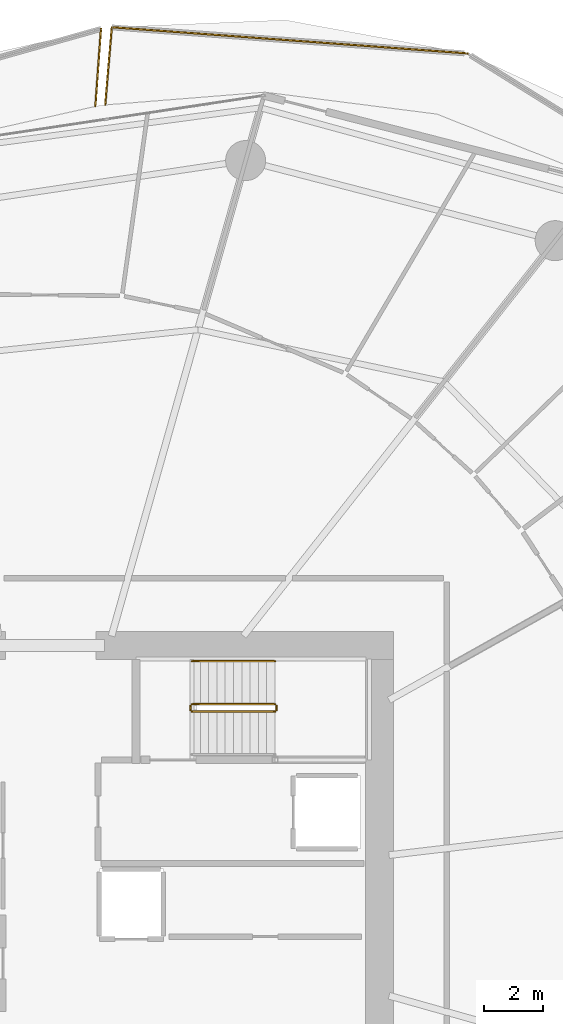
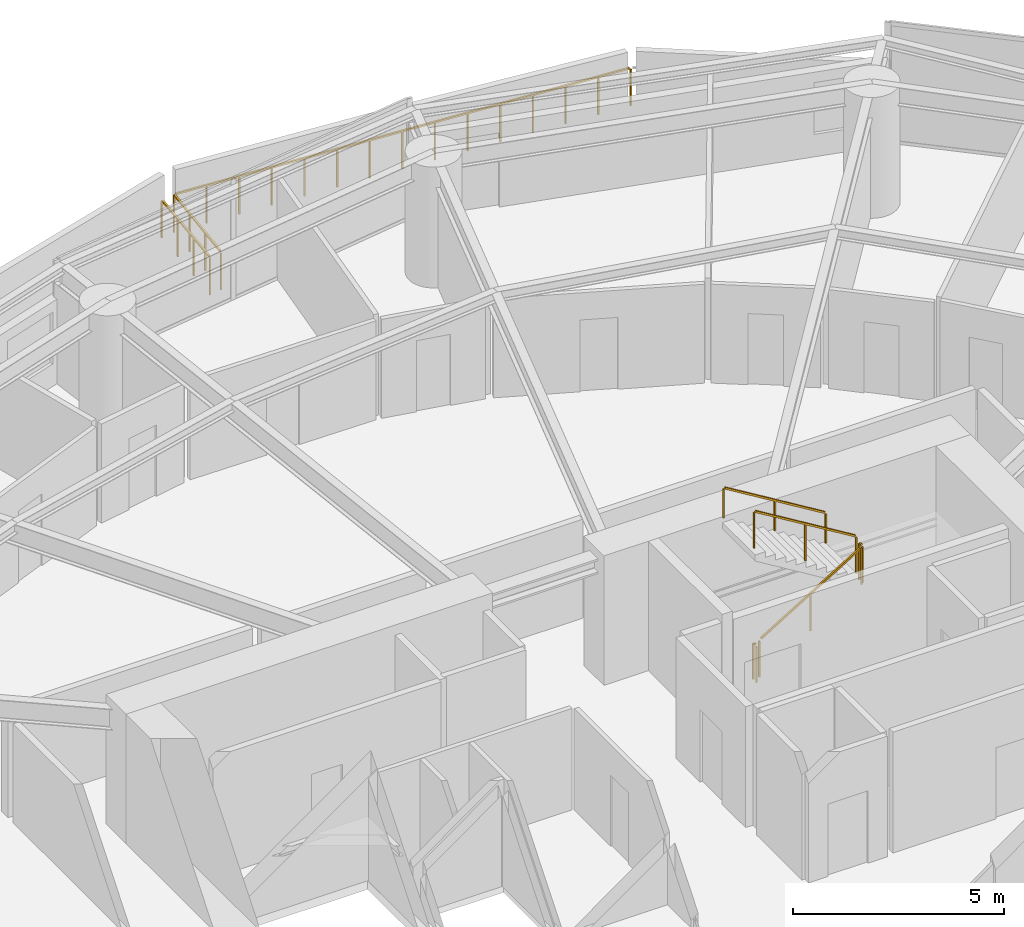
# One storey, part 30 of 31: 8 railings.
"""IFC4 building model written with IfcOpenShell, lengths in metres."""

from ifc_helpers import new_model, si_unit, direction, frame, origin, origin_2d, place, context, subcontext, project, spatial, rectangle, extrude, material, type_object, element, save


model = new_model("IFC4")

# Units and contexts
model_context = context("Model", 3, precision=1e-05, world=origin(), true_north=direction((0.0, 1.0)))
body_context = subcontext(model_context, "Body", "Model", "MODEL_VIEW")
ifc_project = project(units=[si_unit("LENGTHUNIT", "METRE"), si_unit("AREAUNIT", "SQUARE_METRE"), si_unit("VOLUMEUNIT", "CUBIC_METRE"), si_unit("PLANEANGLEUNIT", "RADIAN"), si_unit("MASSUNIT", "GRAM", prefix="KILO")], contexts=[model_context])

# Site, building, storey
site_placement = place(None, origin())
site = spatial("IfcSite", under=ifc_project, at=site_placement, CompositionType="ELEMENT")
building_placement = place(site_placement, origin())
building = spatial("IfcBuilding", under=site, at=building_placement, Name="Kazma Halo Residences", CompositionType="ELEMENT")
storey_placement = place(building_placement, frame((0.0, 0.0, 33.89990234375)))
storey = spatial("IfcBuildingStorey", under=building, at=storey_placement, Name="L07", CompositionType="ELEMENT", Elevation=33.89990234375)

# Railings
ifc_material_1 = material(Name="Aluminium AW-6063 T6 Brushed Cap Rail", Category="aluminium")
railing_type_1 = type_object("IfcRailingType", Name="RLG-BAL-CAP-1120", PredefinedType="BALUSTRADE", material=ifc_material_1)
railing_1_placement = place(storey_placement, frame((62.50439453125, 70.466796875, 0.0)))
element("IfcRailing", 1, at=railing_1_placement, inside=storey, type_object=railing_type_1, Name="L07 NE wave balcony guard 3", PredefinedType="BALUSTRADE", context=body_context, shape_type="SweptSolid", body=[
    extrude(rectangle(XDim=0.050048828125, YDim=0.050048828125, at=origin_2d()), frame((-0.04248046875, 0.003173828125, 1.09521484375), z_axis=(-0.997303634995, 0.073385690876, 0.0), x_axis=(-0.073385690876, -0.997303634995, 0.0)), (0.0, 0.0, 1.0), 11.96142578125),
    extrude(rectangle(XDim=0.0400390625, YDim=0.0400390625, at=origin_2d()), origin(), (0.0, 0.0, 1.0), 1.05810546875),
    extrude(rectangle(XDim=0.0400390625, YDim=0.0400390625, at=origin_2d()), frame((-0.858154296875, 0.063232421875, 0.0)), (0.0, 0.0, 1.0), 1.05810546875),
    extrude(rectangle(XDim=0.0400390625, YDim=0.0400390625, at=origin_2d()), frame((-1.71630859375, 0.126220703125, 0.0)), (0.0, 0.0, 1.0), 1.05810546875),
    extrude(rectangle(XDim=0.0400390625, YDim=0.0400390625, at=origin_2d()), frame((-2.574462890625, 0.189453125, 0.0)), (0.0, 0.0, 1.0), 1.05810546875),
    extrude(rectangle(XDim=0.0400390625, YDim=0.0400390625, at=origin_2d()), frame((-3.4326171875, 0.252685546875, 0.0)), (0.0, 0.0, 1.0), 1.05810546875),
    extrude(rectangle(XDim=0.0400390625, YDim=0.0400390625, at=origin_2d()), frame((-4.290771484375, 0.315673828125, 0.0)), (0.0, 0.0, 1.0), 1.05810546875),
    extrude(rectangle(XDim=0.0400390625, YDim=0.0400390625, at=origin_2d()), frame((-5.14892578125, 0.37890625, 0.0)), (0.0, 0.0, 1.0), 1.05810546875),
    extrude(rectangle(XDim=0.0400390625, YDim=0.0400390625, at=origin_2d()), frame((-6.0068359375, 0.44189453125, 0.0)), (0.0, 0.0, 1.0), 1.05810546875),
    extrude(rectangle(XDim=0.0400390625, YDim=0.0400390625, at=origin_2d()), frame((-6.864990234375, 0.505126953125, 0.0)), (0.0, 0.0, 1.0), 1.05810546875),
    extrude(rectangle(XDim=0.0400390625, YDim=0.0400390625, at=origin_2d()), frame((-7.72314453125, 0.568359375, 0.0)), (0.0, 0.0, 1.0), 1.05810546875),
    extrude(rectangle(XDim=0.0400390625, YDim=0.0400390625, at=origin_2d()), frame((-8.581298828125, 0.63134765625, 0.0)), (0.0, 0.0, 1.0), 1.05810546875),
    extrude(rectangle(XDim=0.0400390625, YDim=0.0400390625, at=origin_2d()), frame((-9.439453125, 0.694580078125, 0.0)), (0.0, 0.0, 1.0), 1.05810546875),
    extrude(rectangle(XDim=0.0400390625, YDim=0.0400390625, at=origin_2d()), frame((-10.297607421875, 0.7578125, 0.0)), (0.0, 0.0, 1.0), 1.05810546875),
    extrude(rectangle(XDim=0.0400390625, YDim=0.0400390625, at=origin_2d()), frame((-11.15576171875, 0.82080078125, 0.0)), (0.0, 0.0, 1.0), 1.05810546875),
    extrude(rectangle(XDim=0.0400390625, YDim=0.0400390625, at=origin_2d()), frame((-12.013916015625, 0.884033203125, 0.0)), (0.0, 0.0, 1.0), 1.05810546875),
])
railing_2_placement = place(storey_placement, frame((50.490478515625, 71.350830078125, 0.0)))
element("IfcRailing", 2, at=railing_2_placement, inside=storey, type_object=railing_type_1, Name="L07 NE wave balcony guard 4", PredefinedType="BALUSTRADE", context=body_context, shape_type="SweptSolid", body=[
    extrude(rectangle(XDim=0.050048828125, YDim=0.050048828125, at=origin_2d()), frame((-0.003662109375, -0.04248046875, 1.09521484375), z_axis=(-0.084550843929, -0.99641916621, 0.0), x_axis=(0.99641916621, -0.084550843929, 0.0)), (0.0, 0.0, 1.0), 2.54541015625),
    extrude(rectangle(XDim=0.0400390625, YDim=0.0400390625, at=origin_2d()), origin(), (0.0, 0.0, 1.0), 1.05810546875),
    extrude(rectangle(XDim=0.0400390625, YDim=0.0400390625, at=origin_2d()), frame((-0.07421875, -0.873779296875, 0.0)), (0.0, 0.0, 1.0), 1.05810546875),
    extrude(rectangle(XDim=0.0400390625, YDim=0.0400390625, at=origin_2d()), frame((-0.148193359375, -1.747314453125, 0.0)), (0.0, 0.0, 1.0), 1.05810546875),
    extrude(rectangle(XDim=0.0400390625, YDim=0.0400390625, at=origin_2d()), frame((-0.222412109375, -2.62109375, 0.0)), (0.0, 0.0, 1.0), 1.05810546875),
])
railing_3_placement = place(storey_placement, frame((49.935791015625, 68.679931640625, 0.0)))
element("IfcRailing", 3, at=railing_3_placement, inside=storey, type_object=railing_type_1, Name="L07 NNW wave balcony guard 1", PredefinedType="BALUSTRADE", context=body_context, shape_type="SweptSolid", body=[
    extrude(rectangle(XDim=0.050048828125, YDim=0.050048828125, at=origin_2d()), frame((0.003173828125, 0.04248046875, 1.09521484375), z_axis=(0.072343971591, 0.997379742011, 0.0), x_axis=(-0.997379742011, 0.072343971591, 0.0)), (0.0, 0.0, 1.0), 2.54052734375),
    extrude(rectangle(XDim=0.0400390625, YDim=0.0400390625, at=origin_2d()), origin(), (0.0, 0.0, 1.0), 1.05810546875),
    extrude(rectangle(XDim=0.0400390625, YDim=0.0400390625, at=origin_2d()), frame((0.063232421875, 0.872802734375, 0.0)), (0.0, 0.0, 1.0), 1.05810546875),
    extrude(rectangle(XDim=0.0400390625, YDim=0.0400390625, at=origin_2d()), frame((0.126708984375, 1.745849609375, 0.0)), (0.0, 0.0, 1.0), 1.05810546875),
    extrude(rectangle(XDim=0.0400390625, YDim=0.0400390625, at=origin_2d()), frame((0.18994140625, 2.61865234375, 0.0)), (0.0, 0.0, 1.0), 1.05810546875),
])
ifc_material_2 = material(Name="Painted Steel S355", Category="steel")
railing_type_2 = type_object("IfcRailingType", Name="RLG-STAIR-GRD-1100", PredefinedType="GUARDRAIL", material=ifc_material_2)
railing_4_placement = place(storey_placement, frame((53.199951171875, 48.25, 0.170654296875)))
element("IfcRailing", 4, at=railing_4_placement, inside=storey, type_object=railing_type_2, Name="L07 ST-02 stair guard 1", PredefinedType="GUARDRAIL", context=body_context, shape_type="SweptSolid", body=[
    extrude(rectangle(XDim=0.050048828125, YDim=0.050048828125, at=origin_2d()), frame((0.036376953125, 0.0, 1.09716796875), z_axis=(0.854202870247, 0.0, 0.519939858505), x_axis=(0.0, 1.0, 0.0)), (0.0, 0.0, 1.0), 3.19287109375),
    extrude(rectangle(XDim=0.0400390625, YDim=0.0400390625, at=origin_2d()), origin(), (0.0, 0.0, 1.0), 1.0380859375),
    extrude(rectangle(XDim=0.0400390625, YDim=0.0400390625, at=origin_2d()), frame((1.39990234375, 0.0, 0.85205078125)), (0.0, 0.0, 1.0), 1.0380859375),
    extrude(rectangle(XDim=0.0400390625, YDim=0.0400390625, at=origin_2d()), frame((2.800048828125, 0.0, 1.704345703125)), (0.0, 0.0, 1.0), 1.0380859375),
])
railing_5_placement = place(storey_placement, frame((56.050048828125, 48.300048828125, 1.875)))
element("IfcRailing", 5, at=railing_5_placement, inside=storey, type_object=railing_type_2, Name="L07 ST-02 stair guard 2", PredefinedType="GUARDRAIL", context=body_context, shape_type="SweptSolid", body=[
    extrude(rectangle(XDim=0.050048828125, YDim=0.050048828125, at=origin_2d()), frame((0.0, 0.04248046875, 1.0751953125), z_axis=(0.0, 1.0, 0.0), x_axis=(-1.0, 0.0, 0.0)), (0.0, 0.0, 1.0), 0.06494140625),
    extrude(rectangle(XDim=0.0400390625, YDim=0.0400390625, at=origin_2d()), origin(), (0.0, 0.0, 1.0), 1.0380859375),
    extrude(rectangle(XDim=0.0400390625, YDim=0.0400390625, at=origin_2d()), frame((0.0, 0.14990234375, 0.0)), (0.0, 0.0, 1.0), 1.0380859375),
])
railing_6_placement = place(storey_placement, frame((56.0, 48.5, 2.045654296875)))
element("IfcRailing", 6, at=railing_6_placement, inside=storey, type_object=railing_type_2, Name="L07 ST-02 stair guard 3", PredefinedType="GUARDRAIL", context=body_context, shape_type="SweptSolid", body=[
    extrude(rectangle(XDim=0.050048828125, YDim=0.050048828125, at=origin_2d()), frame((-0.036376953125, 0.0, 1.09716796875), z_axis=(-0.854202870247, 0.0, 0.519939858505), x_axis=(0.0, -1.0, 0.0)), (0.0, 0.0, 1.0), 3.19287109375),
    extrude(rectangle(XDim=0.0400390625, YDim=0.0400390625, at=origin_2d()), origin(), (0.0, 0.0, 1.0), 1.0380859375),
    extrude(rectangle(XDim=0.0400390625, YDim=0.0400390625, at=origin_2d()), frame((-1.39990234375, 0.0, 0.85205078125)), (0.0, 0.0, 1.0), 1.0380859375),
    extrude(rectangle(XDim=0.0400390625, YDim=0.0400390625, at=origin_2d()), frame((-2.800048828125, 0.0, 1.704345703125)), (0.0, 0.0, 1.0), 1.0380859375),
])
railing_7_placement = place(storey_placement, frame((53.14990234375, 48.300048828125, 0.0)))
element("IfcRailing", 7, at=railing_7_placement, inside=storey, type_object=railing_type_2, Name="L07 ST-02 stair guard 4", PredefinedType="GUARDRAIL", context=body_context, shape_type="SweptSolid", body=[
    extrude(rectangle(XDim=0.050048828125, YDim=0.050048828125, at=origin_2d()), frame((0.0, 0.04248046875, 1.0751953125), z_axis=(0.0, 1.0, 0.0), x_axis=(-1.0, 0.0, 0.0)), (0.0, 0.0, 1.0), 0.06494140625),
    extrude(rectangle(XDim=0.0400390625, YDim=0.0400390625, at=origin_2d()), origin(), (0.0, 0.0, 1.0), 1.0380859375),
    extrude(rectangle(XDim=0.0400390625, YDim=0.0400390625, at=origin_2d()), frame((0.0, 0.14990234375, 0.0)), (0.0, 0.0, 1.0), 1.0380859375),
])
ifc_material_3 = material(Name="Brushed Stainless Steel", Category="steel")
railing_type_3 = type_object("IfcRailingType", Name="RLG-STAIR-HND-900", PredefinedType="HANDRAIL", material=ifc_material_3)
railing_8_placement = place(storey_placement, frame((56.0, 49.949951171875, 2.045654296875)))
element("IfcRailing", 8, at=railing_8_placement, inside=storey, type_object=railing_type_3, Name="L07 ST-02 stair handrail 2", PredefinedType="HANDRAIL", context=body_context, shape_type="SweptSolid", body=[
    extrude(rectangle(XDim=0.050048828125, YDim=0.050048828125, at=origin_2d()), frame((-0.036376953125, 0.0, 0.89697265625), z_axis=(-0.854202870247, 0.0, 0.519939858505), x_axis=(0.0, -1.0, 0.0)), (0.0, 0.0, 1.0), 3.19287109375),
    extrude(rectangle(XDim=0.0400390625, YDim=0.0400390625, at=origin_2d()), origin(), (0.0, 0.0, 1.0), 0.837890625),
    extrude(rectangle(XDim=0.0400390625, YDim=0.0400390625, at=origin_2d()), frame((-1.39990234375, 0.0, 0.85205078125)), (0.0, 0.0, 1.0), 0.837890625),
    extrude(rectangle(XDim=0.0400390625, YDim=0.0400390625, at=origin_2d()), frame((-2.800048828125, 0.0, 1.704345703125)), (0.0, 0.0, 1.0), 0.837890625),
])

save(model, "model.ifc")
